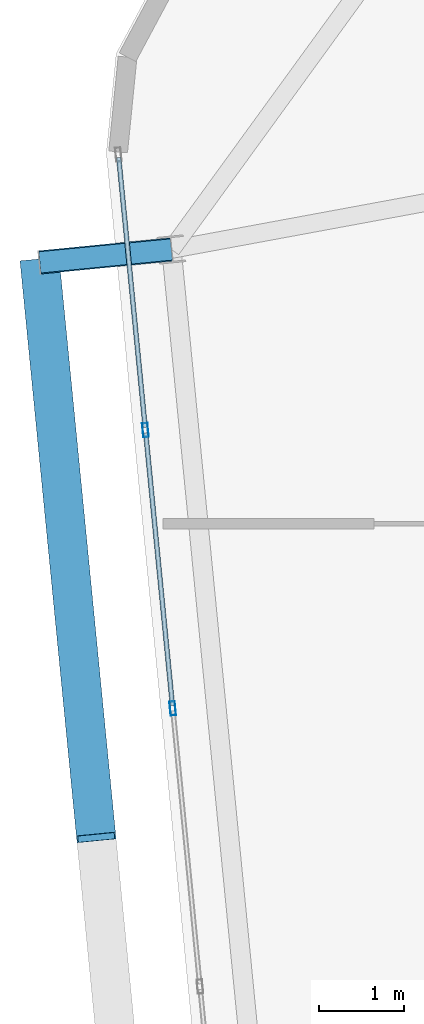
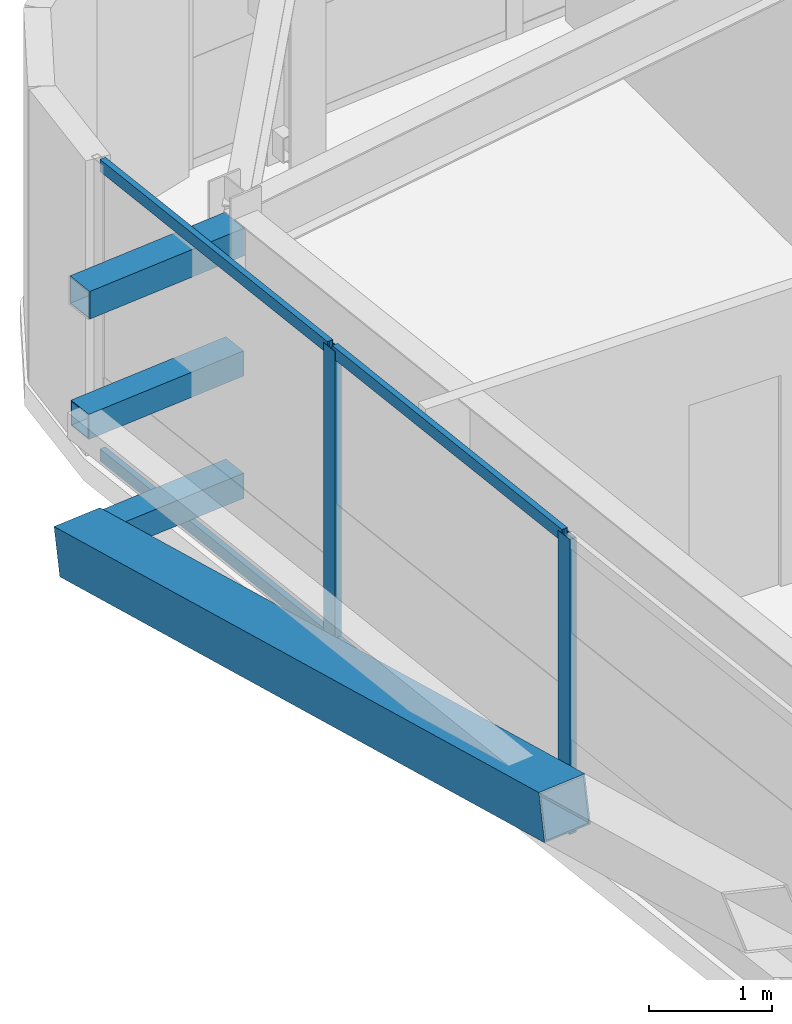
# One storey, part 15 of 54: 10 members, 1 element without a shape of its own.
"""IFC4 building model written with IfcOpenShell, lengths in metres."""

import ifcopenshell
import ifcopenshell.guid

model = None  # the IFC model being written
_history = None  # IfcOwnerHistory: only IFC2X3 demands one
_inside = {}  # id of a spatial element -> (the spatial element, [elements in it])
_under = {}  # id of a project, library or spatial element -> (it, [spatial elements below it])
_declared = {}  # id of a project -> (the project, [libraries it declares])
_typed = {}  # id of a type object -> (the type object, [elements of that type])
_made_of = {}  # id of a material, layer set ... -> (it, [elements and type objects made of it])


def new_model(schema):
    """Start an empty IFC model of exactly this schema.

    Asked for "IFC4X3", IfcOpenShell would pick the latest addendum, in which some entities
    have other attributes; the version numbers below select the first issue.
    IFC2X3 requires an IfcOwnerHistory on every rooted entity: one is made here for all.
    """
    global model, _history
    if schema == "IFC4X3":
        model = ifcopenshell.file(schema_version=(4, 3, 0, 0))
    else:
        model = ifcopenshell.file(schema=schema)
    _inside.clear()
    _under.clear()
    _declared.clear()
    _typed.clear()
    _made_of.clear()
    _history = None
    if model.schema == "IFC2X3":
        org = make("IfcOrganization", Name="unknown")
        user = make(
            "IfcPersonAndOrganization",
            ThePerson=make("IfcPerson", FamilyName="unknown"),
            TheOrganization=org,
        )
        app = make(
            "IfcApplication",
            ApplicationDeveloper=org,
            Version="unknown",
            ApplicationFullName="unknown",
            ApplicationIdentifier="unknown",
        )
        _history = make(
            "IfcOwnerHistory",
            OwningUser=user,
            OwningApplication=app,
            ChangeAction="ADDED",
            CreationDate=0,
        )
    return model


def make(cls, **values):
    """One entity of the class cls with the attributes given. An attribute that is None is left unset."""
    return model.create_entity(
        cls, **{name: value for name, value in values.items() if value is not None}
    )


def rooted(cls, **values):
    """An entity with a GlobalId (a new one), such as an element, a storey or a relation."""
    return make(cls, GlobalId=ifcopenshell.guid.new(), OwnerHistory=_history, **values)


def si_unit(unit_type, name, prefix=None):
    """IfcSIUnit, for example si_unit("LENGTHUNIT", "METRE", prefix="MILLI")."""
    return make("IfcSIUnit", UnitType=unit_type, Prefix=prefix, Name=name)


def assignment(units):
    """IfcUnitAssignment: the units of a project."""
    return None if units is None else make("IfcUnitAssignment", Units=units)


def point(xyz):
    """IfcCartesianPoint."""
    return None if xyz is None else make("IfcCartesianPoint", Coordinates=xyz)


def direction(xyz):
    """IfcDirection."""
    return None if xyz is None else make("IfcDirection", DirectionRatios=xyz)


def frame(location, z_axis=None, x_axis=None):
    """IfcAxis2Placement3D, a coordinate frame: its origin and axes. An axis left out is left unset."""
    return make(
        "IfcAxis2Placement3D",
        Location=point(location),
        Axis=direction(z_axis),
        RefDirection=direction(x_axis),
    )


def frame_2d(location, x_axis=None):
    """IfcAxis2Placement2D, a coordinate frame in the plane: its origin and x axis."""
    return make(
        "IfcAxis2Placement2D", Location=point(location), RefDirection=direction(x_axis)
    )


def origin():
    """The frame at (0, 0, 0) with its axes left unset."""
    return frame((0.0, 0.0, 0.0))


def origin_2d():
    """The frame at (0, 0) in the plane with its x axis left unset."""
    return frame_2d((0.0, 0.0))


def place(relative_to, where):
    """IfcLocalPlacement: puts the frame where relative to a parent placement (None: the world)."""
    return make(
        "IfcLocalPlacement", PlacementRelTo=relative_to, RelativePlacement=where
    )


def context(
    kind, dimensions, precision=None, world=None, true_north=None, identifier=None
):
    """IfcGeometricRepresentationContext, for example the 3D "Model" context."""
    return make(
        "IfcGeometricRepresentationContext",
        ContextIdentifier=identifier,
        ContextType=kind,
        CoordinateSpaceDimension=dimensions,
        Precision=precision,
        WorldCoordinateSystem=world,
        TrueNorth=true_north,
    )


def subcontext(parent, identifier, kind, view, scale=None):
    """IfcGeometricRepresentationSubContext, for example "Body" below "Model"."""
    return make(
        "IfcGeometricRepresentationSubContext",
        ContextIdentifier=identifier,
        ContextType=kind,
        ParentContext=parent,
        TargetScale=scale,
        TargetView=view,
    )


def project(units=None, contexts=None):
    """IfcProject with its units and contexts."""
    return rooted(
        "IfcProject",
        Name="project",
        RepresentationContexts=contexts,
        UnitsInContext=assignment(units),
    )


def spatial(cls, under=None, at=None, **own):
    """A site, building, storey or space (cls), placed at a placement, below another one or the project."""
    s = rooted(cls, ObjectPlacement=at, **own)
    if under is not None:
        _under.setdefault(under.id(), (under, []))[1].append(s)
    return s


def profile(cls, at=None, kind="AREA", **sizes):
    """A parametric profile (cls). Its sizes go by their IFC names, for example OverallWidth=200.0."""
    return make(cls, ProfileType=kind, Position=at, **sizes)


def hollow_rectangle(**sizes):
    """IfcRectangleHollowProfileDef."""
    return profile("IfcRectangleHollowProfileDef", **sizes)


def extrude(swept, where, along, depth):
    """IfcExtrudedAreaSolid: the profile swept, set in the frame where, extruded along a direction by depth."""
    return make(
        "IfcExtrudedAreaSolid",
        SweptArea=swept,
        Position=where,
        ExtrudedDirection=direction(along),
        Depth=depth,
    )


def shape(context_of_items, identifier, shape_type, items):
    """IfcShapeRepresentation: the items that make up one representation, for example the "Body"."""
    return make(
        "IfcShapeRepresentation",
        ContextOfItems=context_of_items,
        RepresentationIdentifier=identifier,
        RepresentationType=shape_type,
        Items=items,
    )


def source(mapping_origin, context_of_items, identifier, shape_type, items):
    """IfcRepresentationMap: a shape defined once, which mapped items show again and again."""
    return make(
        "IfcRepresentationMap",
        MappingOrigin=mapping_origin,
        MappedRepresentation=shape(context_of_items, identifier, shape_type, items),
    )


def transform(
    local_origin,
    x_axis=None,
    y_axis=None,
    z_axis=None,
    scale=None,
    scale2=None,
    scale3=None,
    uniform=True,
):
    """IfcCartesianTransformationOperator3D, or its non-uniform kind. x_axis, y_axis, z_axis: its Axis1, 2, 3."""
    if uniform:
        return make(
            "IfcCartesianTransformationOperator3D",
            Axis1=direction(x_axis),
            Axis2=direction(y_axis),
            LocalOrigin=point(local_origin),
            Scale=scale,
            Axis3=direction(z_axis),
        )
    return make(
        "IfcCartesianTransformationOperator3DnonUniform",
        Axis1=direction(x_axis),
        Axis2=direction(y_axis),
        LocalOrigin=point(local_origin),
        Scale=scale,
        Axis3=direction(z_axis),
        Scale2=scale2,
        Scale3=scale3,
    )


def mapped(mapping_source, mapping_target):
    """IfcMappedItem: shows the shape of a source again, moved by a transform."""
    return make(
        "IfcMappedItem", MappingSource=mapping_source, MappingTarget=mapping_target
    )


def material(Name=None, Category=None):
    """IfcMaterial."""
    return make("IfcMaterial", Name=Name, Category=Category)


def layer(
    of_material, thickness, ventilated=None, Name=None, Category=None, Priority=None
):
    """IfcMaterialLayer: one layer of a wall or slab, of a material (None: an air gap)."""
    return make(
        "IfcMaterialLayer",
        Material=of_material,
        LayerThickness=thickness,
        IsVentilated=ventilated,
        Name=Name,
        Category=Category,
        Priority=Priority,
    )


def layer_set(layers, Name=None):
    """IfcMaterialLayerSet."""
    return make("IfcMaterialLayerSet", MaterialLayers=layers, LayerSetName=Name)


def material_profile(
    of_material, cross_section, Name=None, Category=None, Priority=None
):
    """IfcMaterialProfile: a cross section and its material."""
    return make(
        "IfcMaterialProfile",
        Name=Name,
        Material=of_material,
        Profile=cross_section,
        Priority=Priority,
        Category=Category,
    )


def profile_set(profiles, Name=None, composite=None):
    """IfcMaterialProfileSet."""
    return make(
        "IfcMaterialProfileSet",
        Name=Name,
        MaterialProfiles=profiles,
        CompositeProfile=composite,
    )


def made_of(thing, what):
    """Note that an element or type object is made of a material, layer set ...; save() writes the relation."""
    if what is not None:
        _made_of.setdefault(what.id(), (what, []))[1].append(thing)
    return thing


def type_object(cls, material=None, **own):
    """A type object (cls), such as IfcWallType, which elements share."""
    return made_of(rooted(cls, **own), material)


def element(
    cls,
    number,
    at=None,
    inside=None,
    cuts=None,
    type_object=None,
    material=None,
    context=None,
    identifier="Body",
    shape_type=None,
    held_by="IfcProductDefinitionShape",
    body=None,
    shapes=None,
    **own,
):
    """One element of the class cls, such as IfcWall. Its Tag is "e" and its number.

    at: its placement. inside: the storey or other place that contains it. cuts: it is an
    opening in that element (IfcRelVoidsElement). A single representation is given by context,
    identifier, shape_type and body (its items); several are given by shapes. held_by: the class
    of the entity that holds the representations. save() writes the other relations.
    """
    e = rooted(cls, Tag="e%d" % number, ObjectPlacement=at, **own)
    if body is not None:
        shapes = [shape(context, identifier, shape_type, body)]
    if shapes is not None:
        e.Representation = make(held_by, Representations=shapes)
    if inside is not None:
        _inside.setdefault(inside.id(), (inside, []))[1].append(e)
    if cuts is not None:
        rooted(
            "IfcRelVoidsElement", RelatingBuildingElement=cuts, RelatedOpeningElement=e
        )
    if type_object is not None:
        _typed.setdefault(type_object.id(), (type_object, []))[1].append(e)
    return made_of(e, material)


def aggregate(whole, parts):
    """IfcRelAggregates: a whole, such as a stair, and the parts it consists of."""
    return rooted("IfcRelAggregates", RelatingObject=whole, RelatedObjects=parts)


def save(model, path):
    """Write the relations noted so far, then the file.

    IfcRelAggregates (storeys below a building ...), IfcRelContainedInSpatialStructure (elements
    in a storey), IfcRelDefinesByType, IfcRelAssociatesMaterial and IfcRelDeclares: one each for
    every whole, place, type object, material and project.
    """
    for whole, parts in _under.values():
        aggregate(whole, parts)
    for where, things in _inside.values():
        rooted(
            "IfcRelContainedInSpatialStructure",
            RelatedElements=things,
            RelatingStructure=where,
        )
    for kind, things in _typed.values():
        rooted("IfcRelDefinesByType", RelatedObjects=things, RelatingType=kind)
    for what, things in _made_of.values():
        rooted("IfcRelAssociatesMaterial", RelatedObjects=things, RelatingMaterial=what)
    for by, libraries in _declared.values():
        rooted("IfcRelDeclares", RelatingContext=by, RelatedDefinitions=libraries)
    model.write(path)


model = new_model("IFC4")

# Units and contexts
model_context = context("Model", 3, precision=1e-05, world=origin(), true_north=direction((0.0, 1.0)))
body_context = subcontext(model_context, "Body", "Model", "MODEL_VIEW")
ifc_project = project(units=[si_unit("LENGTHUNIT", "METRE"), si_unit("AREAUNIT", "SQUARE_METRE"), si_unit("VOLUMEUNIT", "CUBIC_METRE"), si_unit("PLANEANGLEUNIT", "RADIAN"), si_unit("MASSUNIT", "GRAM", prefix="KILO")], contexts=[model_context])

# Site, building, storey
site_placement = place(None, origin())
site = spatial("IfcSite", under=ifc_project, at=site_placement, CompositionType="ELEMENT")
building_placement = place(site_placement, origin())
building = spatial("IfcBuilding", under=site, at=building_placement, Name="Taldren Reach Tower", CompositionType="ELEMENT")
storey_placement = place(building_placement, frame((0.0, 0.0, 99.75)))
storey = spatial("IfcBuildingStorey", under=building, at=storey_placement, Name="L30", CompositionType="ELEMENT", Elevation=99.75)

# Members
ifc_material_1 = material(Name="Steel Gr 450 (C450L0)", Category="steel")
ifc_material_profile_1 = material_profile(ifc_material_1, hollow_rectangle(XDim=0.27490234375, YDim=0.27490234375, WallThickness=0.00927734375, at=origin_2d()), Name="275x275x9.3SHS")
ifc_profile_set_1 = profile_set([ifc_material_profile_1], Name="Steel Gr 450 (C450L0)")
member_type_1 = type_object("IfcMemberType", Name="MB-TIE273", PredefinedType="STRUT", material=ifc_profile_set_1)
shared_shape_1 = source(origin(), body_context, "Body", "SweptSolid", [
    extrude(hollow_rectangle(XDim=0.27490234375, YDim=0.27490234375, WallThickness=0.00927734375, at=origin_2d()), origin(), (0.0, 0.0, 1.0), 1.550048828125),
])
member_1_placement = place(storey_placement, frame((8.808349609375, 30.116455078125, 2.64990234375), z_axis=(-0.9952210252, -0.097647892962, 0.0), x_axis=(0.097647892962, -0.9952210252, 0.0)))
element("IfcMember", 1, at=member_1_placement, inside=storey, type_object=member_type_1, Name="Exoskeleton diaphragm tie strut B2-W3 L30", PredefinedType="STRUT", context=body_context, shape_type="MappedRepresentation", body=[
    mapped(shared_shape_1, transform((0.0, 0.0, 0.0), scale=1.0)),
])
ifc_material_2 = material(Name="Steel Gr 350 (C350L0)", Category="steel")
ifc_material_profile_2 = material_profile(ifc_material_2, hollow_rectangle(XDim=0.25, YDim=0.25, WallThickness=0.010009765625, at=origin_2d()), Name="250x250x10.0SHS")
ifc_profile_set_2 = profile_set([ifc_material_profile_2], Name="Steel Gr 350 (C350L0)")
member_type_2 = type_object("IfcMemberType", Name="MB-POST250", PredefinedType="POST", material=ifc_profile_set_2)
shared_shape_2 = source(origin(), body_context, "Body", "SweptSolid", [
    extrude(hollow_rectangle(XDim=0.25, YDim=0.25, WallThickness=0.010009765625, at=origin_2d()), origin(), (0.0, 0.0, 1.0), 1.550048828125),
])
for number, where, z_axis, x_axis, name in (
    (2, (8.808349609375, 30.116455078125, 0.219970703125), (-0.9952210252, -0.097647892962, 0.0), (0.097647892962, -0.9952210252, 0.0), "Exoskeleton base diaphragm tie strut B2-W3 L30"),
    (3, (8.808349609375, 30.116455078125, 1.43505859375), (-0.9952210252, -0.097647892962, 0.0), (0.097647892962, -0.9952210252, 0.0), "Exoskeleton mid-tier diaphragm tie B2-W3 L30"),
):
    element("IfcMember", number, at=place(storey_placement, frame(where, z_axis=z_axis, x_axis=x_axis)), inside=storey, type_object=member_type_2, Name=name, PredefinedType="POST", context=body_context, shape_type="MappedRepresentation", body=[
        mapped(shared_shape_2, transform((0.0, 0.0, 0.0), scale=1.0)),
    ])
ifc_material_profile_3 = material_profile(ifc_material_1, hollow_rectangle(XDim=0.4599609375, YDim=0.4599609375, WallThickness=0.01611328125, at=origin_2d()), Name="460x460x16.0SHS")
ifc_profile_set_3 = profile_set([ifc_material_profile_3], Name="Steel Gr 450 (C450L0)")
member_type_3 = type_object("IfcMemberType", Name="MB-EXO457", PredefinedType="BRACE", material=ifc_profile_set_3)
shared_shape_3 = source(origin(), body_context, "Body", "SweptSolid", [
    extrude(hollow_rectangle(XDim=0.4599609375, YDim=0.4599609375, WallThickness=0.01611328125, at=origin_2d()), origin(), (0.0, 0.0, 1.0), 6.883056640625),
])
member_2_placement = place(storey_placement, frame((7.265625, 29.965087890625, 0.219970703125), z_axis=(0.09605145821, -0.97959718347, 0.176531797456), x_axis=(0.995227290009, 0.097584021339, 0.0)))
element("IfcMember", 4, at=member_2_placement, inside=storey, type_object=member_type_3, Name="Exoskeleton Diagrid Brace B2-W2 L30", PredefinedType="BRACE", context=body_context, shape_type="MappedRepresentation", body=[
    mapped(shared_shape_3, transform((0.0, 0.0, 0.0), scale=1.0)),
])

# Curtain wall, members
ifc_material_3 = material(Name="Aluminium and Low-E Glass Unitised System", Category="aluminium")
ifc_layer = layer(ifc_material_3, 0.159912109375)
ifc_layer_set = layer_set([ifc_layer], Name="Aluminium and Low-E Glass Unitised System")
curtain_wall_type = type_object("IfcCurtainWallType", Name="CW-SYS-3", PredefinedType="NOTDEFINED", material=ifc_layer_set)
curtain_wall_placement = place(storey_placement, origin())
curtain_wall = element("IfcCurtainWall", 5, at=curtain_wall_placement, inside=storey, type_object=curtain_wall_type, Name="Unitised curtain wall CW-L30-W", PredefinedType="NOTDEFINED")
ifc_material_4 = material(Name="Anodised Aluminium 6063-T6", Category="aluminium")
ifc_material_profile_4 = material_profile(ifc_material_4, hollow_rectangle(XDim=0.06494140625, YDim=0.1650390625, WallThickness=0.00390625, at=origin_2d()), Name="ALU-165x65x4RHS")
ifc_profile_set_4 = profile_set([ifc_material_profile_4], Name="Anodised Aluminium 6063-T6")
member_type_4 = type_object("IfcMemberType", Name="CW-MUL-165", PredefinedType="MULLION", material=ifc_profile_set_4)
shared_shape_4 = source(origin(), body_context, "Body", "SweptSolid", [
    extrude(hollow_rectangle(XDim=0.06494140625, YDim=0.1650390625, WallThickness=0.00390625, at=origin_2d()), origin(), (0.0, 0.0, 1.0), 2.929931640625),
])
member_3_placement = place(storey_placement, frame((8.50341796875, 27.998779296875, 0.0), z_axis=(0.0, 0.0, 1.0), x_axis=(0.99522741555, 0.09758274098, 0.0)))
member_3 = element("IfcMember", 6, at=member_3_placement, type_object=member_type_4, Name="CW-3 mullion 2", PredefinedType="MULLION", context=body_context, shape_type="MappedRepresentation", body=[
    mapped(shared_shape_4, transform((0.0, 0.0, 0.0), scale=1.0)),
])
member_4_placement = place(storey_placement, frame((8.8232421875, 24.736572265625, 0.0), z_axis=(0.0, 0.0, 1.0), x_axis=(0.99522741555, 0.09758274098, 0.0)))
member_4 = element("IfcMember", 7, at=member_4_placement, type_object=member_type_4, Name="CW-3 mullion 3", PredefinedType="MULLION", context=body_context, shape_type="MappedRepresentation", body=[
    mapped(shared_shape_4, transform((0.0, 0.0, 0.0), scale=1.0)),
])
ifc_material_profile_5 = material_profile(ifc_material_4, hollow_rectangle(XDim=0.054931640625, YDim=0.1201171875, WallThickness=0.0029296875, at=origin_2d()), Name="ALU-120x55x3RHS")
ifc_profile_set_5 = profile_set([ifc_material_profile_5], Name="Anodised Aluminium 6063-T6")
member_type_5 = type_object("IfcMemberType", Name="CW-TRN-135", PredefinedType="USERDEFINED", material=ifc_profile_set_5)
shared_shape_5 = source(origin(), body_context, "Body", "SweptSolid", [
    extrude(hollow_rectangle(XDim=0.054931640625, YDim=0.1201171875, WallThickness=0.0029296875, at=origin_2d()), origin(), (0.0, 0.0, 1.0), 3.18017578125),
])
member_5_placement = place(storey_placement, frame((8.18994140625, 31.1962890625, 0.027587890625), z_axis=(0.097572914968, -0.995228378949, 0.0), x_axis=(0.995228378949, 0.097572914968, 0.0)))
member_5 = element("IfcMember", 8, at=member_5_placement, type_object=member_type_5, Name="CW-3 transom 1.1", ObjectType="TRANSOM", PredefinedType="USERDEFINED", context=body_context, shape_type="MappedRepresentation", body=[
    mapped(shared_shape_5, transform((0.0, 0.0, 0.0), scale=1.0)),
])
member_6_placement = place(storey_placement, frame((8.18994140625, 31.1962890625, 2.902587890625), z_axis=(0.097572914968, -0.995228378949, 0.0), x_axis=(0.995228378949, 0.097572914968, 0.0)))
member_6 = element("IfcMember", 9, at=member_6_placement, type_object=member_type_5, Name="CW-3 transom 1.2", ObjectType="TRANSOM", PredefinedType="USERDEFINED", context=body_context, shape_type="MappedRepresentation", body=[
    mapped(shared_shape_5, transform((0.0, 0.0, 0.0), scale=1.0)),
])
shared_shape_6 = source(origin(), body_context, "Body", "SweptSolid", [
    extrude(hollow_rectangle(XDim=0.054931640625, YDim=0.1201171875, WallThickness=0.0029296875, at=origin_2d()), origin(), (0.0, 0.0, 1.0), 3.212890625),
])
member_7_placement = place(storey_placement, frame((8.506591796875, 27.966552734375, 0.027587890625), z_axis=(0.097569948235, -0.995228669805, 0.0), x_axis=(0.995228669805, 0.097569948235, 0.0)))
member_7 = element("IfcMember", 10, at=member_7_placement, type_object=member_type_5, Name="CW-3 transom 2.1", ObjectType="TRANSOM", PredefinedType="USERDEFINED", context=body_context, shape_type="MappedRepresentation", body=[
    mapped(shared_shape_6, transform((0.0, 0.0, 0.0), scale=1.0)),
])
member_8_placement = place(storey_placement, frame((8.506591796875, 27.966552734375, 2.902587890625), z_axis=(0.097569948235, -0.995228669805, 0.0), x_axis=(0.995228669805, 0.097569948235, 0.0)))
member_8 = element("IfcMember", 11, at=member_8_placement, type_object=member_type_5, Name="CW-3 transom 2.2", ObjectType="TRANSOM", PredefinedType="USERDEFINED", context=body_context, shape_type="MappedRepresentation", body=[
    mapped(shared_shape_6, transform((0.0, 0.0, 0.0), scale=1.0)),
])
aggregate(curtain_wall, [member_3, member_4, member_5, member_6, member_7, member_8])

save(model, "model.ifc")
